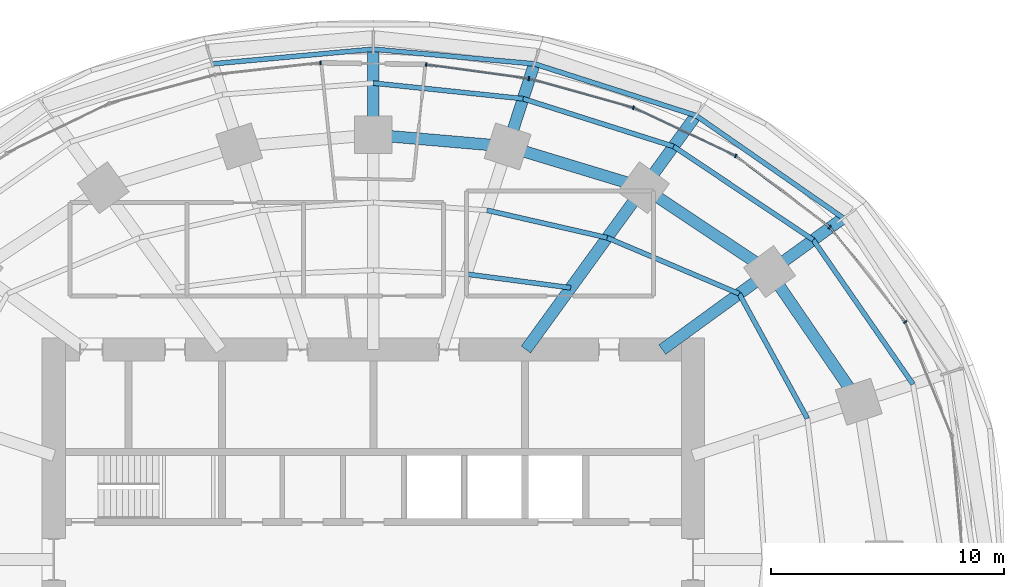
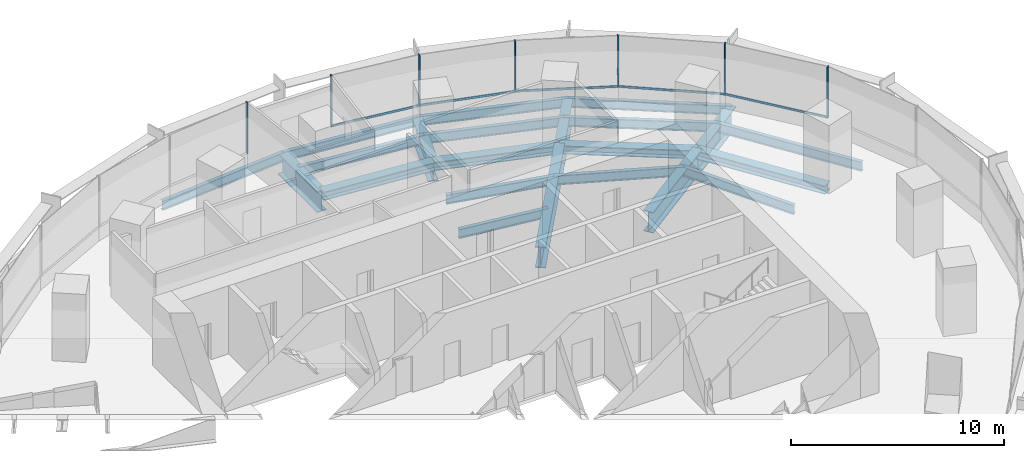
# One storey, part 8 of 15: 18 beams, 16 members, 3 elements without a shape of their own.
"""IFC4 building model written with IfcOpenShell, lengths in metres."""

from ifc_helpers import new_model, si_unit, direction, frame, origin, origin_2d, place, context, subcontext, project, spatial, rectangle, i_section, extrude, material, material_profile, profile_set, type_object, element, aggregate, save


model = new_model("IFC4")

# Units and contexts
model_context = context("Model", 3, precision=1e-05, world=origin(), true_north=direction((0.0, 1.0)))
body_context = subcontext(model_context, "Body", "Model", "MODEL_VIEW")
ifc_project = project(units=[si_unit("LENGTHUNIT", "METRE"), si_unit("AREAUNIT", "SQUARE_METRE"), si_unit("VOLUMEUNIT", "CUBIC_METRE"), si_unit("PLANEANGLEUNIT", "RADIAN"), si_unit("MASSUNIT", "GRAM", prefix="KILO")], contexts=[model_context])

# Site, building, storey
site_placement = place(None, origin())
site = spatial("IfcSite", under=ifc_project, at=site_placement, CompositionType="ELEMENT")
building_placement = place(site_placement, origin())
building = spatial("IfcBuilding", under=site, at=building_placement, Name="Marramba Exchange Tower", CompositionType="ELEMENT")
storey_placement = place(building_placement, frame((0.0, 0.0, 92.39990234375)))
storey = spatial("IfcBuildingStorey", under=building, at=storey_placement, Name="L21", CompositionType="ELEMENT", Elevation=92.39990234375)

# Members
ifc_material_1 = material(Name="Steel AS/NZS 3679.2 grade 300", Category="steel")
ifc_material_profile_1 = material_profile(ifc_material_1, i_section(OverallWidth=0.5, OverallDepth=0.47998046875, WebThickness=0.0400390625, FlangeThickness=0.0400390625, at=origin_2d()), Name="500WC440")
ifc_profile_set_1 = profile_set([ifc_material_profile_1], Name="Steel AS/NZS 3679.2 grade 300")
member_type_1 = type_object("IfcMemberType", Name="Belt truss chord 500WC440", PredefinedType="CHORD", material=ifc_profile_set_1)
member_1_placement = place(storey_placement, frame((20.808349609375, 6.760986328125, -0.43994140625), z_axis=(-0.56516002054, 0.824981303535, 0.0), x_axis=(-0.824981303535, -0.56516002054, 0.0)))
element("IfcMember", 1, at=member_1_placement, inside=storey, type_object=member_type_1, Name="Belt chord L21 TC02-TC03", PredefinedType="CHORD", context=body_context, shape_type="SweptSolid", body=[
    extrude(i_section(OverallWidth=0.5, OverallDepth=0.47998046875, WebThickness=0.0400390625, FlangeThickness=0.0400390625, at=origin_2d()), origin(), (0.0, 0.0, 1.0), 6.763671875),
])
member_2_placement = place(storey_placement, frame((16.98583984375, 12.3408203125, -0.43994140625), z_axis=(-0.832293151443, 0.554335737673, 0.0), x_axis=(-0.554335737673, -0.832293151443, 0.0)))
element("IfcMember", 2, at=member_2_placement, inside=storey, type_object=member_type_1, Name="Belt chord L21 TC03-TC04", PredefinedType="CHORD", context=body_context, shape_type="SweptSolid", body=[
    extrude(i_section(OverallWidth=0.5, OverallDepth=0.47998046875, WebThickness=0.0400390625, FlangeThickness=0.0400390625, at=origin_2d()), origin(), (0.0, 0.0, 1.0), 6.49365234375),
])
member_3_placement = place(storey_placement, frame((11.581298828125, 15.9404296875, -0.43994140625), z_axis=(-0.956924542524, 0.290336735387, 0.0), x_axis=(-0.290336735387, -0.956924542524, 0.0)))
element("IfcMember", 3, at=member_3_placement, inside=storey, type_object=member_type_1, Name="Belt chord L21 TC04-TC05", PredefinedType="CHORD", context=body_context, shape_type="SweptSolid", body=[
    extrude(i_section(OverallWidth=0.5, OverallDepth=0.47998046875, WebThickness=0.0400390625, FlangeThickness=0.0400390625, at=origin_2d()), origin(), (0.0, 0.0, 1.0), 6.089599609375),
])
member_4_placement = place(storey_placement, frame((5.75390625, 17.70849609375, -0.43994140625), z_axis=(-0.996311003275, 0.085815993578, 0.0), x_axis=(-0.085815993578, -0.996311003275, 0.0)))
element("IfcMember", 4, at=member_4_placement, inside=storey, type_object=member_type_1, Name="Belt chord L21 TC05-TC06", PredefinedType="CHORD", context=body_context, shape_type="SweptSolid", body=[
    extrude(i_section(OverallWidth=0.5, OverallDepth=0.47998046875, WebThickness=0.0400390625, FlangeThickness=0.0400390625, at=origin_2d()), origin(), (0.0, 0.0, 1.0), 5.775146484375),
])

# Beams
ifc_material_profile_2 = material_profile(ifc_material_1, i_section(OverallWidth=0.5, OverallDepth=1.199951171875, WebThickness=0.01611328125, FlangeThickness=0.0400390625, at=origin_2d()), Name="1200WB455")
ifc_profile_set_2 = profile_set([ifc_material_profile_2], Name="Steel AS/NZS 3679.2 grade 300")
beam_type_1 = type_object("IfcBeamType", Name="Cantilever girder 1200WB455", PredefinedType="BEAM", material=ifc_profile_set_2)
beam_1_placement = place(storey_placement, frame((16.98583984375, 12.3408203125, -0.849853515625), z_axis=(0.808987260856, 0.587826174793, 0.0), x_axis=(-0.587826174793, 0.808987260856, 0.0)))
element("IfcBeam", 5, at=beam_1_placement, inside=storey, type_object=beam_type_1, Name="Cantilever girder L21 TC03", PredefinedType="BEAM", context=body_context, shape_type="SweptSolid", body=[
    extrude(i_section(OverallWidth=0.5, OverallDepth=1.199951171875, WebThickness=0.01611328125, FlangeThickness=0.0400390625, at=origin_2d()), origin(), (0.0, 0.0, 1.0), 3.90771484375),
])
beam_2_placement = place(storey_placement, frame((11.581298828125, 15.9404296875, -0.849853515625), z_axis=(0.587795827483, 0.809009310944, 0.0), x_axis=(-0.809009310944, 0.587795827483, 0.0)))
element("IfcBeam", 6, at=beam_2_placement, inside=storey, type_object=beam_type_1, Name="Cantilever girder L21 TC04", PredefinedType="BEAM", context=body_context, shape_type="SweptSolid", body=[
    extrude(i_section(OverallWidth=0.5, OverallDepth=1.199951171875, WebThickness=0.01611328125, FlangeThickness=0.0400390625, at=origin_2d()), origin(), (0.0, 0.0, 1.0), 3.82421875),
])
beam_3_placement = place(storey_placement, frame((5.75390625, 17.70849609375, -0.849853515625), z_axis=(0.308973290646, 0.951070715387, 0.0), x_axis=(-0.951070715387, 0.308973290646, 0.0)))
element("IfcBeam", 7, at=beam_3_placement, inside=storey, type_object=beam_type_1, Name="Cantilever girder L21 TC05", PredefinedType="BEAM", context=body_context, shape_type="SweptSolid", body=[
    extrude(i_section(OverallWidth=0.5, OverallDepth=1.199951171875, WebThickness=0.01611328125, FlangeThickness=0.0400390625, at=origin_2d()), origin(), (0.0, 0.0, 1.0), 3.72021484375),
])
beam_4_placement = place(storey_placement, frame((0.0, 18.2041015625, -0.849853515625), z_axis=(0.0, 1.0, 0.0), x_axis=(-1.0, 0.0, 0.0)))
element("IfcBeam", 8, at=beam_4_placement, inside=storey, type_object=beam_type_1, Name="Cantilever girder L21 TC06", PredefinedType="BEAM", context=body_context, shape_type="SweptSolid", body=[
    extrude(i_section(OverallWidth=0.5, OverallDepth=1.199951171875, WebThickness=0.01611328125, FlangeThickness=0.0400390625, at=origin_2d()), origin(), (0.0, 0.0, 1.0), 3.673828125),
])
ifc_material_2 = material(Name="Steel AS/NZS 3679.1 grade 300", Category="steel")
ifc_material_profile_3 = material_profile(ifc_material_2, i_section(OverallWidth=0.208984375, OverallDepth=0.532958984375, WebThickness=0.01025390625, FlangeThickness=0.015625, FilletRadius=0.013916015625, at=origin_2d()), Name="530UB92.4")
ifc_profile_set_3 = profile_set([ifc_material_profile_3], Name="Steel AS/NZS 3679.1 grade 300")
beam_type_2 = type_object("IfcBeamType", Name="Floor joist 530UB92.4", PredefinedType="JOIST", material=ifc_profile_set_3)
beam_5_placement = place(storey_placement, frame((18.60546875, 6.04541015625, -0.46630859375), z_axis=(-0.479584443791, 0.877495732909, 0.0), x_axis=(-0.877495732909, -0.479584443791, 0.0)))
element("IfcBeam", 9, at=beam_5_placement, inside=storey, type_object=beam_type_2, Name="Joist L21 bay 02 row 2", PredefinedType="JOIST", context=body_context, shape_type="SweptSolid", body=[
    extrude(i_section(OverallWidth=0.208984375, OverallDepth=0.532958984375, WebThickness=0.01025390625, FlangeThickness=0.015625, FilletRadius=0.013916015625, at=origin_2d()), origin(), (0.0, 0.0, 1.0), 6.094970703125),
])
beam_6_placement = place(storey_placement, frame((15.682373046875, 11.393798828125, -0.46630859375), z_axis=(-0.920674336375, 0.390331610738, 0.0), x_axis=(-0.390331610738, -0.920674336375, 0.0)))
element("IfcBeam", 10, at=beam_6_placement, inside=storey, type_object=beam_type_2, Name="Joist L21 bay 03 row 2", PredefinedType="JOIST", context=body_context, shape_type="SweptSolid", body=[
    extrude(i_section(OverallWidth=0.208984375, OverallDepth=0.532958984375, WebThickness=0.01025390625, FlangeThickness=0.015625, FilletRadius=0.013916015625, at=origin_2d()), origin(), (0.0, 0.0, 1.0), 6.1484375),
])
beam_7_placement = place(storey_placement, frame((8.4619140625, 11.646728515625, -0.46630859375), z_axis=(-0.991480538255, 0.130254912618, 0.0), x_axis=(-0.130254912618, -0.991480538255, 0.0)))
element("IfcBeam", 11, at=beam_7_placement, inside=storey, type_object=beam_type_2, Name="Joist L21 bay 04 row 1", PredefinedType="JOIST", context=body_context, shape_type="SweptSolid", body=[
    extrude(i_section(OverallWidth=0.208984375, OverallDepth=0.532958984375, WebThickness=0.01025390625, FlangeThickness=0.015625, FilletRadius=0.013916015625, at=origin_2d()), origin(), (0.0, 0.0, 1.0), 4.524658203125),
])
beam_8_placement = place(storey_placement, frame((10.021728515625, 13.793701171875, -0.46630859375), z_axis=(-0.974859652292, 0.222819788916, 0.0), x_axis=(-0.222819788916, -0.974859652292, 0.0)))
element("IfcBeam", 12, at=beam_8_placement, inside=storey, type_object=beam_type_2, Name="Joist L21 bay 04 row 2", PredefinedType="JOIST", context=body_context, shape_type="SweptSolid", body=[
    extrude(i_section(OverallWidth=0.208984375, OverallDepth=0.532958984375, WebThickness=0.01025390625, FlangeThickness=0.015625, FilletRadius=0.013916015625, at=origin_2d()), origin(), (0.0, 0.0, 1.0), 5.2900390625),
])

# Curtain wall, members
ifc_material_3 = material(Name="Aluminium framing, bronze anodised", Category="aluminium")
curtain_wall_type = type_object("IfcCurtainWallType", Name="Office ribbon curtain wall", PredefinedType="USERDEFINED", material=ifc_material_3)
curtain_wall_1_placement = place(storey_placement, origin())
curtain_wall_1 = element("IfcCurtainWall", 13, at=curtain_wall_1_placement, inside=storey, type_object=curtain_wall_type, Name="Curtain wall CW4 L21 F01-F05", ObjectType="RIBBON CURTAIN WALL", PredefinedType="USERDEFINED")
ifc_material_4 = material(Name="Aluminium mullion, bronze anodised", Category="aluminium")
ifc_material_profile_4 = material_profile(ifc_material_4, rectangle(XDim=0.159912109375, YDim=0.06005859375, at=origin_2d()), Name="CW4 mullion 60x160")
ifc_profile_set_4 = profile_set([ifc_material_profile_4], Name="Aluminium mullion, bronze anodised")
member_type_2 = type_object("IfcMemberType", Name="Office ribbon curtain wall mullion", PredefinedType="MULLION", material=ifc_profile_set_4)
member_5_placement = place(storey_placement, frame((22.796630859375, 10.181640625, 0.800048828125), z_axis=(0.0, 0.0, 1.0), x_axis=(-0.783563266703, -0.621312004611, 0.0)))
member_5 = element("IfcMember", 14, at=member_5_placement, type_object=member_type_2, Name="CW4 mullion 1", PredefinedType="MULLION", context=body_context, shape_type="SweptSolid", body=[
    extrude(rectangle(XDim=0.159912109375, YDim=0.06005859375, at=origin_2d()), origin(), (0.0, 0.0, 1.0), 2.93994140625),
])
member_6_placement = place(storey_placement, frame((19.5625, 14.24853515625, 0.800048828125), z_axis=(0.0, 0.0, 1.0), x_axis=(-0.60533377223, -0.795971748366, 0.0)))
member_6 = element("IfcMember", 15, at=member_6_placement, type_object=member_type_2, Name="CW4 mullion 1", PredefinedType="MULLION", context=body_context, shape_type="SweptSolid", body=[
    extrude(rectangle(XDim=0.159912109375, YDim=0.06005859375, at=origin_2d()), origin(), (0.0, 0.0, 1.0), 2.93994140625),
])
member_7_placement = place(storey_placement, frame((15.538818359375, 17.300537109375, 0.800048828125), z_axis=(0.0, 0.0, 1.0), x_axis=(-0.426678995157, -0.904403137485, 0.0)))
member_7 = element("IfcMember", 16, at=member_7_placement, type_object=member_type_2, Name="CW4 mullion 1", PredefinedType="MULLION", context=body_context, shape_type="SweptSolid", body=[
    extrude(rectangle(XDim=0.159912109375, YDim=0.06005859375, at=origin_2d()), origin(), (0.0, 0.0, 1.0), 2.93994140625),
])

curtain_wall_2_placement = place(storey_placement, origin())
curtain_wall_2 = element("IfcCurtainWall", 17, at=curtain_wall_2_placement, inside=storey, type_object=curtain_wall_type, Name="Curtain wall CW4 L21 F06-F07", ObjectType="RIBBON CURTAIN WALL", PredefinedType="USERDEFINED")
member_8_placement = place(storey_placement, frame((11.147705078125, 19.366455078125, 0.800048828125), z_axis=(0.0, 0.0, 1.0), x_axis=(-0.268865090816, -0.963177845956, 0.0)))
member_8 = element("IfcMember", 18, at=member_8_placement, type_object=member_type_2, Name="CW4 mullion 1", PredefinedType="MULLION", context=body_context, shape_type="SweptSolid", body=[
    extrude(rectangle(XDim=0.159912109375, YDim=0.06005859375, at=origin_2d()), origin(), (0.0, 0.0, 1.0), 2.93994140625),
])
member_9_placement = place(storey_placement, frame((6.66650390625, 20.61328125, 0.800048828125), z_axis=(0.0, 0.0, 1.0), x_axis=(-0.135785837319, -0.990738212841, 0.0)))
member_9 = element("IfcMember", 19, at=member_9_placement, type_object=member_type_2, Name="CW4 mullion 1", PredefinedType="MULLION", context=body_context, shape_type="SweptSolid", body=[
    extrude(rectangle(XDim=0.159912109375, YDim=0.06005859375, at=origin_2d()), origin(), (0.0, 0.0, 1.0), 2.93994140625),
])
member_10_placement = place(storey_placement, frame((2.26025390625, 21.217041015625, 0.800048828125), z_axis=(0.0, 0.0, 1.0), x_axis=(-0.135785837319, -0.990738212841, 0.0)))
member_10 = element("IfcMember", 20, at=member_10_placement, type_object=member_type_2, Name="CW4 mullion 2", PredefinedType="MULLION", context=body_context, shape_type="SweptSolid", body=[
    extrude(rectangle(XDim=0.159912109375, YDim=0.06005859375, at=origin_2d()), origin(), (0.0, 0.0, 1.0), 2.93994140625),
])

# Curtain wall, member
curtain_wall_3_placement = place(storey_placement, origin())
curtain_wall_3 = element("IfcCurtainWall", 21, at=curtain_wall_3_placement, inside=storey, type_object=curtain_wall_type, Name="Curtain wall CW4 L21 F09-F10", ObjectType="RIBBON CURTAIN WALL", PredefinedType="USERDEFINED")
member_11_placement = place(storey_placement, frame((-2.267578125, 21.288330078125, 0.800048828125), z_axis=(0.0, 0.0, 1.0), x_axis=(0.110973233233, -0.993823395532, 0.0)))
member_11 = element("IfcMember", 22, at=member_11_placement, type_object=member_type_2, Name="CW4 mullion 1", PredefinedType="MULLION", context=body_context, shape_type="SweptSolid", body=[
    extrude(rectangle(XDim=0.159912109375, YDim=0.06005859375, at=origin_2d()), origin(), (0.0, 0.0, 1.0), 2.93994140625),
])
aggregate(curtain_wall_3, [member_11])

# Member
ifc_material_5 = material(Name="Aluminium transom, bronze anodised", Category="aluminium")
ifc_material_profile_5 = material_profile(ifc_material_5, rectangle(XDim=0.06005859375, YDim=0.1201171875, at=origin_2d()), Name="CW4 transom 60x120")
ifc_profile_set_5 = profile_set([ifc_material_profile_5], Name="Aluminium transom, bronze anodised")
member_type_3 = type_object("IfcMemberType", Name="Office ribbon curtain wall transom", PredefinedType="USERDEFINED", material=ifc_profile_set_5)
member_12_placement = place(storey_placement, frame((22.778076171875, 10.205078125, 0.830078125), z_axis=(-0.621339379472, 0.783541559534, 0.0), x_axis=(-0.783541559534, -0.621339379472, 0.0)))
member_12 = element("IfcMember", 23, at=member_12_placement, type_object=member_type_3, Name="CW4 sill transom", ObjectType="TRANSOM", PredefinedType="USERDEFINED", context=body_context, shape_type="SweptSolid", body=[
    extrude(rectangle(XDim=0.06005859375, YDim=0.1201171875, at=origin_2d()), origin(), (0.0, 0.0, 1.0), 5.13720703125),
])

member_13_placement = place(storey_placement, frame((19.53857421875, 14.2666015625, 0.830078125), z_axis=(-0.7959906025, 0.605308979556, 0.0), x_axis=(-0.605308979556, -0.7959906025, 0.0)))
member_13 = element("IfcMember", 24, at=member_13_placement, type_object=member_type_3, Name="CW4 sill transom", ObjectType="TRANSOM", PredefinedType="USERDEFINED", context=body_context, shape_type="SweptSolid", body=[
    extrude(rectangle(XDim=0.06005859375, YDim=0.1201171875, at=origin_2d()), origin(), (0.0, 0.0, 1.0), 4.99072265625),
])

member_14_placement = place(storey_placement, frame((15.51171875, 17.313232421875, 0.830078125), z_axis=(-0.904410826824, 0.426662696193, 0.0), x_axis=(-0.426662696193, -0.904410826824, 0.0)))
member_14 = element("IfcMember", 25, at=member_14_placement, type_object=member_type_3, Name="CW4 sill transom", ObjectType="TRANSOM", PredefinedType="USERDEFINED", context=body_context, shape_type="SweptSolid", body=[
    extrude(rectangle(XDim=0.06005859375, YDim=0.1201171875, at=origin_2d()), origin(), (0.0, 0.0, 1.0), 4.79345703125),
])

aggregate(curtain_wall_1, [member_5, member_12, member_6, member_13, member_7, member_14])

member_15_placement = place(storey_placement, frame((11.118896484375, 19.37451171875, 0.830078125), z_axis=(-0.963173567938, 0.268880415847, 0.0), x_axis=(-0.268880415847, -0.963173567938, 0.0)))
member_15 = element("IfcMember", 26, at=member_15_placement, type_object=member_type_3, Name="CW4 sill transom", ObjectType="TRANSOM", PredefinedType="USERDEFINED", context=body_context, shape_type="SweptSolid", body=[
    extrude(rectangle(XDim=0.06005859375, YDim=0.1201171875, at=origin_2d()), origin(), (0.0, 0.0, 1.0), 4.591796875),
])

member_16_placement = place(storey_placement, frame((6.636962890625, 20.6171875, 0.830078125), z_axis=(-0.990733759598, 0.135818325687, 0.0), x_axis=(-0.135818325687, -0.990733759598, 0.0)))
member_16 = element("IfcMember", 27, at=member_16_placement, type_object=member_type_3, Name="CW4 sill transom", ObjectType="TRANSOM", PredefinedType="USERDEFINED", context=body_context, shape_type="SweptSolid", body=[
    extrude(rectangle(XDim=0.06005859375, YDim=0.1201171875, at=origin_2d()), origin(), (0.0, 0.0, 1.0), 4.387939453125),
])

aggregate(curtain_wall_2, [member_8, member_15, member_9, member_10, member_16])

# Beams
ifc_material_profile_6 = material_profile(ifc_material_1, i_section(OverallWidth=0.5, OverallDepth=1.199951171875, WebThickness=0.01611328125, FlangeThickness=0.0400390625, at=origin_2d()), Name="1200WB455")
ifc_profile_set_6 = profile_set([ifc_material_profile_6], Name="Steel AS/NZS 3679.2 grade 300")
beam_type_3 = type_object("IfcBeamType", Name="Radial girder 1200WB455", PredefinedType="BEAM", material=ifc_profile_set_6)
beam_9_placement = place(storey_placement, frame((12.387451171875, 9.0, -0.7998046875), z_axis=(0.809025746925, 0.587773205252, 0.0), x_axis=(-0.587773205252, 0.809025746925, 0.0)))
element("IfcBeam", 28, at=beam_9_placement, inside=storey, type_object=beam_type_3, Name="Radial girder L21 TC03", PredefinedType="BEAM", context=body_context, shape_type="SweptSolid", body=[
    extrude(i_section(OverallWidth=0.5, OverallDepth=1.199951171875, WebThickness=0.01611328125, FlangeThickness=0.0400390625, at=origin_2d()), origin(), (0.0, 0.0, 1.0), 5.683837890625),
])
beam_10_placement = place(storey_placement, frame((6.538818359375, 9.0, -0.7998046875), z_axis=(0.587782439969, 0.80901903764, 0.0), x_axis=(-0.80901903764, 0.587782439969, 0.0)))
element("IfcBeam", 29, at=beam_10_placement, inside=storey, type_object=beam_type_3, Name="Radial girder L21 TC04", PredefinedType="BEAM", context=body_context, shape_type="SweptSolid", body=[
    extrude(i_section(OverallWidth=0.5, OverallDepth=1.199951171875, WebThickness=0.01611328125, FlangeThickness=0.0400390625, at=origin_2d()), origin(), (0.0, 0.0, 1.0), 8.578857421875),
])
ifc_material_profile_7 = material_profile(ifc_material_2, i_section(OverallWidth=0.208984375, OverallDepth=0.528076171875, WebThickness=0.009521484375, FlangeThickness=0.01318359375, FilletRadius=0.013916015625, at=origin_2d()), Name="530UB82.0")
ifc_profile_set_7 = profile_set([ifc_material_profile_7], Name="Steel AS/NZS 3679.1 grade 300")
beam_type_4 = type_object("IfcBeamType", Name="Slab edge beam 530UB82.0", PredefinedType="SPANDREL", material=ifc_profile_set_7)
beam_11_placement = place(storey_placement, frame((20.147216796875, 14.637939453125, -0.513916015625), z_axis=(-0.820842487183, 0.571154629882, 0.0), x_axis=(-0.571154629882, -0.820842487183, 0.0)))
element("IfcBeam", 30, at=beam_11_placement, inside=storey, type_object=beam_type_4, Name="Setback roof edge beam L21 TC03-TC04", PredefinedType="SPANDREL", context=body_context, shape_type="SweptSolid", body=[
    extrude(i_section(OverallWidth=0.208984375, OverallDepth=0.528076171875, WebThickness=0.009521484375, FlangeThickness=0.01318359375, FilletRadius=0.013916015625, at=origin_2d()), origin(), (0.0, 0.0, 1.0), 7.697021484375),
])
beam_12_placement = place(storey_placement, frame((13.8291015625, 19.0341796875, -0.513916015625), z_axis=(-0.952577642997, 0.304295635957, 0.0), x_axis=(-0.304295635957, -0.952577642997, 0.0)))
element("IfcBeam", 31, at=beam_12_placement, inside=storey, type_object=beam_type_4, Name="Setback roof edge beam L21 TC04-TC05", PredefinedType="SPANDREL", context=body_context, shape_type="SweptSolid", body=[
    extrude(i_section(OverallWidth=0.208984375, OverallDepth=0.528076171875, WebThickness=0.009521484375, FlangeThickness=0.01318359375, FilletRadius=0.013916015625, at=origin_2d()), origin(), (0.0, 0.0, 1.0), 7.2705078125),
])
for number, where, z_axis, x_axis, name in (
    (32, (6.9033203125, 21.24658203125, -0.513916015625), (-0.995843984921, 0.091075560369, 0.0), (-0.091075560369, -0.995843984921, 0.0), "Setback roof edge beam L21 TC05-TC06"),
    (33, (0.0, 21.8779296875, -0.513916015625), (-0.995843984921, -0.091075560369, 0.0), (0.091075560369, -0.995843984921, 0.0), "Setback roof edge beam L21 TC06-TC07"),
):
    element("IfcBeam", number, at=place(storey_placement, frame(where, z_axis=z_axis, x_axis=x_axis)), inside=storey, type_object=beam_type_4, Name=name, PredefinedType="SPANDREL", context=body_context, shape_type="SweptSolid", body=[
        extrude(i_section(OverallWidth=0.208984375, OverallDepth=0.528076171875, WebThickness=0.009521484375, FlangeThickness=0.01318359375, FilletRadius=0.013916015625, at=origin_2d()), origin(), (0.0, 0.0, 1.0), 6.93212890625),
    ])
beam_13_placement = place(storey_placement, frame((23.134033203125, 7.516845703125, -0.4638671875), z_axis=(-0.568708380871, 0.822539225525, 0.0), x_axis=(-0.822539225525, -0.568708380871, 0.0)))
element("IfcBeam", 34, at=beam_13_placement, inside=storey, type_object=beam_type_4, Name="Slab edge beam L21 TC02-TC03", PredefinedType="SPANDREL", context=body_context, shape_type="SweptSolid", body=[
    extrude(i_section(OverallWidth=0.208984375, OverallDepth=0.528076171875, WebThickness=0.009521484375, FlangeThickness=0.01318359375, FilletRadius=0.013916015625, at=origin_2d()), origin(), (0.0, 0.0, 1.0), 7.5185546875),
])
beam_14_placement = place(storey_placement, frame((18.858154296875, 13.701171875, -0.4638671875), z_axis=(-0.831126885775, 0.556082817341, 0.0), x_axis=(-0.556082817341, -0.831126885775, 0.0)))
element("IfcBeam", 35, at=beam_14_placement, inside=storey, type_object=beam_type_4, Name="Slab edge beam L21 TC03-TC04", PredefinedType="SPANDREL", context=body_context, shape_type="SweptSolid", body=[
    extrude(i_section(OverallWidth=0.208984375, OverallDepth=0.528076171875, WebThickness=0.009521484375, FlangeThickness=0.01318359375, FilletRadius=0.013916015625, at=origin_2d()), origin(), (0.0, 0.0, 1.0), 7.20849609375),
])
beam_15_placement = place(storey_placement, frame((12.866943359375, 17.709716796875, -0.4638671875), z_axis=(-0.95328438714, 0.30207429092, 0.0), x_axis=(-0.30207429092, -0.95328438714, 0.0)))
element("IfcBeam", 36, at=beam_15_placement, inside=storey, type_object=beam_type_4, Name="Slab edge beam L21 TC04-TC05", PredefinedType="SPANDREL", context=body_context, shape_type="SweptSolid", body=[
    extrude(i_section(OverallWidth=0.208984375, OverallDepth=0.528076171875, WebThickness=0.009521484375, FlangeThickness=0.01318359375, FilletRadius=0.013916015625, at=origin_2d()), origin(), (0.0, 0.0, 1.0), 6.7646484375),
])
beam_16_placement = place(storey_placement, frame((6.418212890625, 19.753173828125, -0.4638671875), z_axis=(-0.994596700839, 0.103814270117, 0.0), x_axis=(-0.103814270117, -0.994596700839, 0.0)))
element("IfcBeam", 37, at=beam_16_placement, inside=storey, type_object=beam_type_4, Name="Slab edge beam L21 TC05-TC06", PredefinedType="SPANDREL", context=body_context, shape_type="SweptSolid", body=[
    extrude(i_section(OverallWidth=0.208984375, OverallDepth=0.528076171875, WebThickness=0.009521484375, FlangeThickness=0.01318359375, FilletRadius=0.013916015625, at=origin_2d()), origin(), (0.0, 0.0, 1.0), 6.453125),
])

save(model, "model.ifc")
